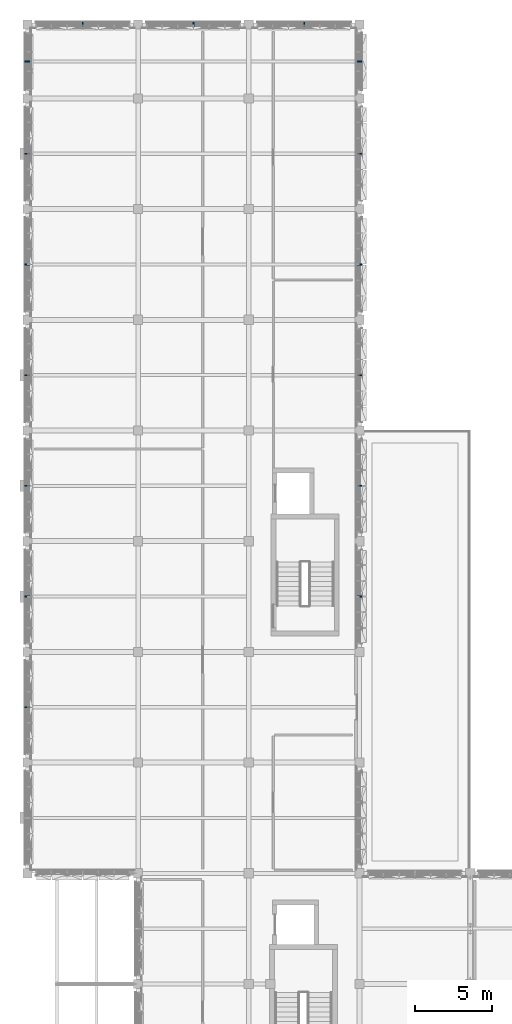
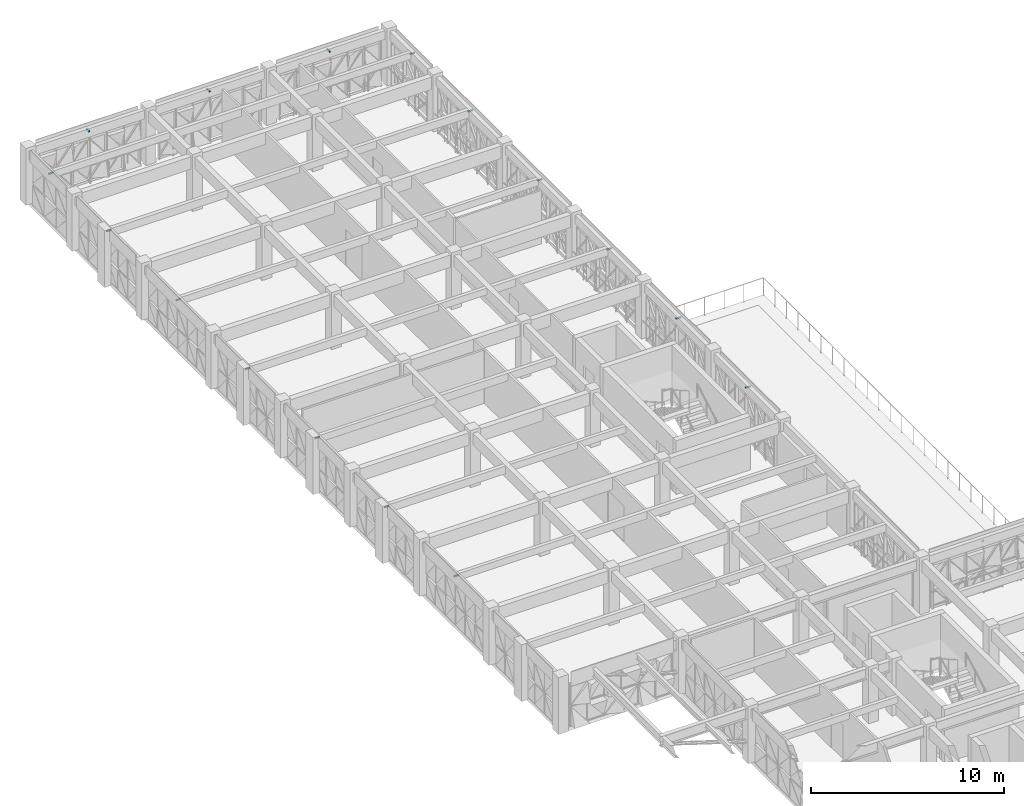
# One storey, part 77 of 99: 16 discrete accessories.
"""IFC4 building model written with IfcOpenShell, lengths in metres."""

from ifc_helpers import new_model, si_unit, direction, frame, origin, origin_2d, place, context, subcontext, project, spatial, rectangle, extrude, material, type_object, element, save


model = new_model("IFC4")

# Units and contexts
model_context = context("Model", 3, precision=1e-05, world=origin(), true_north=direction((0.0, 1.0)))
body_context = subcontext(model_context, "Body", "Model", "MODEL_VIEW")
ifc_project = project(units=[si_unit("LENGTHUNIT", "METRE"), si_unit("AREAUNIT", "SQUARE_METRE"), si_unit("VOLUMEUNIT", "CUBIC_METRE"), si_unit("PLANEANGLEUNIT", "RADIAN"), si_unit("MASSUNIT", "GRAM", prefix="KILO")], contexts=[model_context])

# Site, building, storey
site_placement = place(None, origin())
site = spatial("IfcSite", under=ifc_project, at=site_placement, CompositionType="ELEMENT")
building_placement = place(site_placement, origin())
building = spatial("IfcBuilding", under=site, at=building_placement, Name="Alvorim Cloister Faculty of Sciences", CompositionType="ELEMENT")
storey_placement = place(building_placement, frame((0.0, 0.0, 12.14990234375)))
storey = spatial("IfcBuildingStorey", under=building, at=storey_placement, Name="L03", CompositionType="ELEMENT", Elevation=12.14990234375)

# Discrete accessories
ifc_material = material(Name="Aluminium Alloy 6063-T6", Category="aluminium")
discrete_accessory_type = type_object("IfcDiscreteAccessoryType", Name="ACC-DIAG-BAR", PredefinedType="BRACKET", material=ifc_material)
for number, where, z_axis, x_axis, name in (
    (1, (0.139892578125, 67.199951171875, 3.22509765625), (-1.0, 0.0, 0.0), (0.0, -1.0, 0.0), "Slab-Edge Fascia Tie Bracket ACC-01121"),
    (2, (0.139892578125, 74.39990234375, 3.22509765625), (-1.0, 0.0, 0.0), (0.0, -1.0, 0.0), "Slab-Edge Fascia Tie Bracket ACC-01134"),
    (3, (0.139892578125, 81.60009765625, 3.22509765625), (-1.0, 0.0, 0.0), (0.0, -1.0, 0.0), "Slab-Edge Fascia Tie Bracket ACC-01147"),
    (4, (0.139892578125, 88.800048828125, 3.22509765625), (-1.0, 0.0, 0.0), (0.0, -1.0, 0.0), "Slab-Edge Fascia Tie Bracket ACC-01160"),
    (5, (0.139892578125, 96.0, 3.22509765625), (-1.0, 0.0, 0.0), (0.0, -1.0, 0.0), "Slab-Edge Fascia Tie Bracket ACC-01173"),
    (6, (0.139892578125, 103.199951171875, 3.22509765625), (-1.0, 0.0, 0.0), (0.0, -1.0, 0.0), "Slab-Edge Fascia Tie Bracket ACC-01186"),
    (7, (0.139892578125, 109.199951171875, 3.22509765625), (-1.0, 0.0, 0.0), (0.0, -1.0, 0.0), "Slab-Edge Fascia Tie Bracket ACC-01193"),
):
    element("IfcDiscreteAccessory", number, at=place(storey_placement, frame(where, z_axis=z_axis, x_axis=x_axis)), inside=storey, type_object=discrete_accessory_type, Name=name, PredefinedType="BRACKET", context=body_context, shape_type="SweptSolid", body=[
        extrude(rectangle(XDim=0.080078125, YDim=0.080078125, at=origin_2d()), origin(), (0.0, 0.0, 1.0), 0.2998046875),
    ])
for number, where, z_axis, x_axis, name in (
    (8, (3.60009765625, 111.4599609375, 3.22509765625), (0.0, 1.0, 0.0), (-1.0, 0.0, 0.0), "Slab-Edge Fascia Tie Bracket ACC-01206"),
    (9, (10.800048828125, 111.4599609375, 3.22509765625), (0.0, 1.0, 0.0), (-1.0, 0.0, 0.0), "Slab-Edge Fascia Tie Bracket ACC-01219"),
    (10, (18.0, 111.4599609375, 3.22509765625), (0.0, 1.0, 0.0), (-1.0, 0.0, 0.0), "Slab-Edge Fascia Tie Bracket ACC-01232"),
    (11, (21.4599609375, 109.199951171875, 3.22509765625), (1.0, 0.0, 0.0), (0.0, 1.0, 0.0), "Slab-Edge Fascia Tie Bracket ACC-01239"),
    (12, (21.4599609375, 103.199951171875, 3.22509765625), (1.0, 0.0, 0.0), (0.0, 1.0, 0.0), "Slab-Edge Fascia Tie Bracket ACC-01252"),
    (13, (21.4599609375, 96.0, 3.22509765625), (1.0, 0.0, 0.0), (0.0, 1.0, 0.0), "Slab-Edge Fascia Tie Bracket ACC-01265"),
    (14, (21.4599609375, 88.800048828125, 3.22509765625), (1.0, 0.0, 0.0), (0.0, 1.0, 0.0), "Slab-Edge Fascia Tie Bracket ACC-01278"),
    (15, (21.4599609375, 81.60009765625, 3.22509765625), (1.0, 0.0, 0.0), (0.0, 1.0, 0.0), "Slab-Edge Fascia Tie Bracket ACC-01291"),
    (16, (21.4599609375, 74.39990234375, 3.22509765625), (1.0, 0.0, 0.0), (0.0, 1.0, 0.0), "Slab-Edge Fascia Tie Bracket ACC-01304"),
):
    element("IfcDiscreteAccessory", number, at=place(storey_placement, frame(where, z_axis=z_axis, x_axis=x_axis)), inside=storey, type_object=discrete_accessory_type, Name=name, PredefinedType="BRACKET", context=body_context, shape_type="SweptSolid", body=[
        extrude(rectangle(XDim=0.080078125, YDim=0.080078125, at=origin_2d()), origin(), (0.0, 0.0, 1.0), 0.300048828125),
    ])

save(model, "model.ifc")
